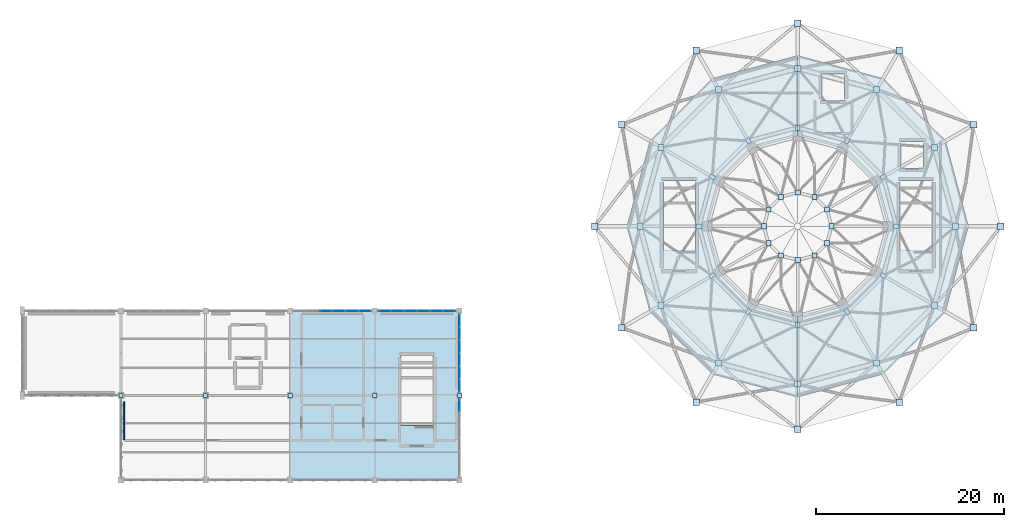
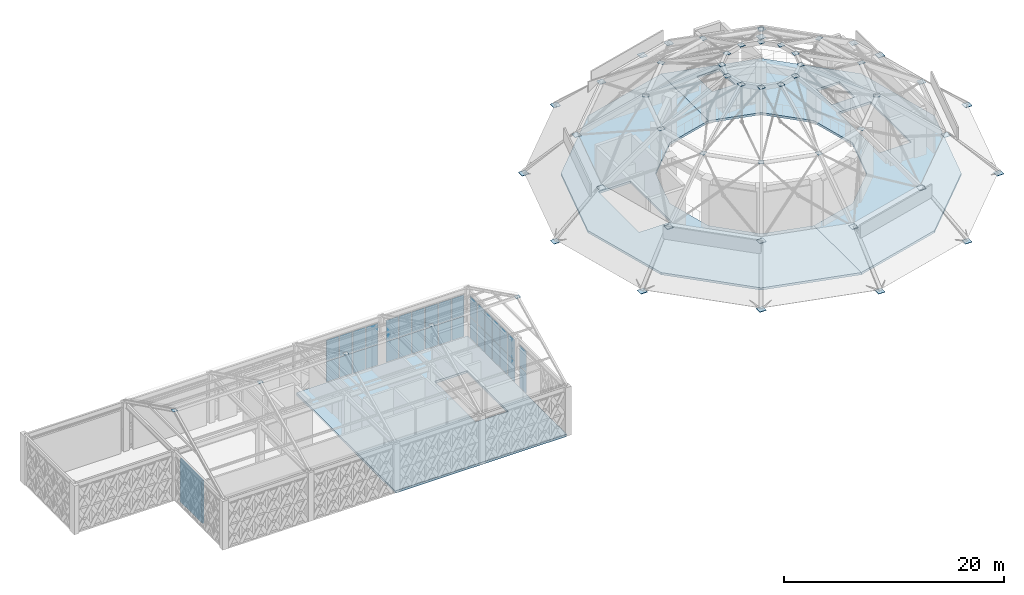
# One storey, part 26 of 32: 87 plates, 3 slabs, 1 wall, 4 elements without a shape of their own.
"""IFC4 building model written with IfcOpenShell, lengths in metres."""

from ifc_helpers import new_model, si_unit, direction, frame, frame_2d, origin, origin_2d, place, context, subcontext, project, spatial, polyline, rectangle, outline, extrude, material, layer, layer_set, type_object, element, aggregate, save


model = new_model("IFC4")

# Units and contexts
model_context = context("Model", 3, precision=1e-05, world=origin(), true_north=direction((0.0, 1.0)))
body_context = subcontext(model_context, "Body", "Model", "MODEL_VIEW")
ifc_project = project(units=[si_unit("LENGTHUNIT", "METRE"), si_unit("AREAUNIT", "SQUARE_METRE"), si_unit("VOLUMEUNIT", "CUBIC_METRE"), si_unit("PLANEANGLEUNIT", "RADIAN"), si_unit("MASSUNIT", "GRAM", prefix="KILO")], contexts=[model_context])

# Site, building, storey
site_placement = place(None, origin())
site = spatial("IfcSite", under=ifc_project, at=site_placement, CompositionType="ELEMENT")
building_placement = place(site_placement, origin())
building = spatial("IfcBuilding", under=site, at=building_placement, Name="Haizhuo Lancet Aquarium", CompositionType="ELEMENT")
storey_placement = place(building_placement, frame((0.0, 0.0, 27.0)))
storey = spatial("IfcBuildingStorey", under=building, at=storey_placement, Name="L05", CompositionType="ELEMENT", Elevation=27.0)

# Curtain wall, plates
ifc_material_1 = material(Name="Aluminium 6063-T6", Category="aluminium")
curtain_wall_type_1 = type_object("IfcCurtainWallType", Name="CWD-8310x4800", PredefinedType="NOTDEFINED", material=ifc_material_1)
curtain_wall_1_placement = place(storey_placement, origin())
curtain_wall_1 = element("IfcCurtainWall", 1, at=curtain_wall_1_placement, inside=storey, type_object=curtain_wall_type_1, Name="L05 curtain wall CW-V6-L05-265", PredefinedType="NOTDEFINED")
ifc_material_2 = material(Name="Laminated Low-E Glass", Category="glass")
ifc_layer_1 = layer(ifc_material_2, 0.028076171875)
ifc_layer_set_1 = layer_set([ifc_layer_1], Name="Laminated Low-E Glass")
plate_type_1 = type_object("IfcPlateType", Name="CW-PNL-1", PredefinedType="CURTAIN_PANEL", material=ifc_layer_set_1)
plate_1_placement = place(storey_placement, frame((-36.0, -10.053955078125, 0.064453125), z_axis=(0.0, 0.0, 1.0), x_axis=(0.0, -1.0, 0.0)))
plate_1 = element("IfcPlate", 2, at=plate_1_placement, type_object=plate_type_1, Name="CWD-83x48 panel 1.1", PredefinedType="CURTAIN_PANEL", context=body_context, shape_type="SweptSolid", body=[
    extrude(rectangle(XDim=1.2880859375, YDim=0.028076171875, at=origin_2d()), origin(), (0.0, 0.0, 1.0), 2.302978515625),
])
plate_2_placement = place(storey_placement, frame((-36.0, -10.053955078125, 2.4326171875), z_axis=(0.0, 0.0, 1.0), x_axis=(0.0, -1.0, 0.0)))
plate_2 = element("IfcPlate", 3, at=plate_2_placement, type_object=plate_type_1, Name="CWD-83x48 panel 1.2", PredefinedType="CURTAIN_PANEL", context=body_context, shape_type="SweptSolid", body=[
    extrude(rectangle(XDim=1.2880859375, YDim=0.028076171875, at=origin_2d()), origin(), (0.0, 0.0, 1.0), 2.302978515625),
])
plate_3_placement = place(storey_placement, frame((-36.0, -11.422119140625, 0.064453125), z_axis=(0.0, 0.0, 1.0), x_axis=(0.0, -1.0, 0.0)))
plate_3 = element("IfcPlate", 4, at=plate_3_placement, type_object=plate_type_1, Name="CWD-83x48 panel 2.1", PredefinedType="CURTAIN_PANEL", context=body_context, shape_type="SweptSolid", body=[
    extrude(rectangle(XDim=1.320068359375, YDim=0.028076171875, at=origin_2d()), origin(), (0.0, 0.0, 1.0), 2.302978515625),
])
plate_4_placement = place(storey_placement, frame((-36.0, -11.422119140625, 2.4326171875), z_axis=(0.0, 0.0, 1.0), x_axis=(0.0, -1.0, 0.0)))
plate_4 = element("IfcPlate", 5, at=plate_4_placement, type_object=plate_type_1, Name="CWD-83x48 panel 2.2", PredefinedType="CURTAIN_PANEL", context=body_context, shape_type="SweptSolid", body=[
    extrude(rectangle(XDim=1.320068359375, YDim=0.028076171875, at=origin_2d()), origin(), (0.0, 0.0, 1.0), 2.302978515625),
])
plate_5_placement = place(storey_placement, frame((-36.0, -12.80810546875, 0.064453125), z_axis=(0.0, 0.0, 1.0), x_axis=(0.0, -1.0, 0.0)))
plate_5 = element("IfcPlate", 6, at=plate_5_placement, type_object=plate_type_1, Name="CWD-83x48 panel 3.1", PredefinedType="CURTAIN_PANEL", context=body_context, shape_type="SweptSolid", body=[
    extrude(rectangle(XDim=1.320068359375, YDim=0.028076171875, at=origin_2d()), origin(), (0.0, 0.0, 1.0), 2.302978515625),
])
plate_6_placement = place(storey_placement, frame((-36.0, -12.80810546875, 2.4326171875), z_axis=(0.0, 0.0, 1.0), x_axis=(0.0, -1.0, 0.0)))
plate_6 = element("IfcPlate", 7, at=plate_6_placement, type_object=plate_type_1, Name="CWD-83x48 panel 3.2", PredefinedType="CURTAIN_PANEL", context=body_context, shape_type="SweptSolid", body=[
    extrude(rectangle(XDim=1.320068359375, YDim=0.028076171875, at=origin_2d()), origin(), (0.0, 0.0, 1.0), 2.302978515625),
])
plate_7_placement = place(storey_placement, frame((-36.0, -14.193115234375, 0.064453125), z_axis=(0.0, 0.0, 1.0), x_axis=(0.0, -1.0, 0.0)))
plate_7 = element("IfcPlate", 8, at=plate_7_placement, type_object=plate_type_1, Name="CWD-83x48 panel 4.1", PredefinedType="CURTAIN_PANEL", context=body_context, shape_type="SweptSolid", body=[
    extrude(rectangle(XDim=1.320068359375, YDim=0.028076171875, at=origin_2d()), origin(), (0.0, 0.0, 1.0), 2.302978515625),
])
plate_8_placement = place(storey_placement, frame((-36.0, -14.193115234375, 2.4326171875), z_axis=(0.0, 0.0, 1.0), x_axis=(0.0, -1.0, 0.0)))
plate_8 = element("IfcPlate", 9, at=plate_8_placement, type_object=plate_type_1, Name="CWD-83x48 panel 4.2", PredefinedType="CURTAIN_PANEL", context=body_context, shape_type="SweptSolid", body=[
    extrude(rectangle(XDim=1.320068359375, YDim=0.028076171875, at=origin_2d()), origin(), (0.0, 0.0, 1.0), 2.302978515625),
])
plate_9_placement = place(storey_placement, frame((-36.0, -15.577880859375, 0.064453125), z_axis=(0.0, 0.0, 1.0), x_axis=(0.0, -1.0, 0.0)))
plate_9 = element("IfcPlate", 10, at=plate_9_placement, type_object=plate_type_1, Name="CWD-83x48 panel 5.1", PredefinedType="CURTAIN_PANEL", context=body_context, shape_type="SweptSolid", body=[
    extrude(rectangle(XDim=1.320068359375, YDim=0.028076171875, at=origin_2d()), origin(), (0.0, 0.0, 1.0), 2.302978515625),
])
plate_10_placement = place(storey_placement, frame((-36.0, -15.577880859375, 2.4326171875), z_axis=(0.0, 0.0, 1.0), x_axis=(0.0, -1.0, 0.0)))
plate_10 = element("IfcPlate", 11, at=plate_10_placement, type_object=plate_type_1, Name="CWD-83x48 panel 5.2", PredefinedType="CURTAIN_PANEL", context=body_context, shape_type="SweptSolid", body=[
    extrude(rectangle(XDim=1.320068359375, YDim=0.028076171875, at=origin_2d()), origin(), (0.0, 0.0, 1.0), 2.302978515625),
])
plate_11_placement = place(storey_placement, frame((-36.0, -16.946044921875, 0.064453125), z_axis=(0.0, 0.0, 1.0), x_axis=(0.0, -1.0, 0.0)))
plate_11 = element("IfcPlate", 12, at=plate_11_placement, type_object=plate_type_1, Name="CWD-83x48 panel 6.1", PredefinedType="CURTAIN_PANEL", context=body_context, shape_type="SweptSolid", body=[
    extrude(rectangle(XDim=1.287109375, YDim=0.028076171875, at=origin_2d()), origin(), (0.0, 0.0, 1.0), 2.302978515625),
])
plate_12_placement = place(storey_placement, frame((-36.0, -16.946044921875, 2.4326171875), z_axis=(0.0, 0.0, 1.0), x_axis=(0.0, -1.0, 0.0)))
plate_12 = element("IfcPlate", 13, at=plate_12_placement, type_object=plate_type_1, Name="CWD-83x48 panel 6.2", PredefinedType="CURTAIN_PANEL", context=body_context, shape_type="SweptSolid", body=[
    extrude(rectangle(XDim=1.287109375, YDim=0.028076171875, at=origin_2d()), origin(), (0.0, 0.0, 1.0), 2.302978515625),
])
aggregate(curtain_wall_1, [plate_1, plate_2, plate_3, plate_4, plate_5, plate_6, plate_7, plate_8, plate_9, plate_10, plate_11, plate_12])

curtain_wall_2_placement = place(storey_placement, origin())
curtain_wall_2 = element("IfcCurtainWall", 14, at=curtain_wall_2_placement, inside=storey, type_object=curtain_wall_type_1, Name="L05 curtain wall CW-V6-L05-266", PredefinedType="NOTDEFINED")
ifc_layer_2 = layer(ifc_material_2, 0.033935546875)
ifc_layer_set_2 = layer_set([ifc_layer_2], Name="Laminated Low-E Glass")
plate_type_2 = type_object("IfcPlateType", Name="CW-PNL-2", PredefinedType="CURTAIN_PANEL", material=ifc_layer_set_2)
plate_13_placement = place(storey_placement, frame((-36.0, -19.055908203125, 0.075439453125), z_axis=(0.0, 0.0, 1.0), x_axis=(0.0, -1.0, 0.0)))
plate_13 = element("IfcPlate", 15, at=plate_13_placement, type_object=plate_type_2, Name="CWD-83x48 panel 1.1", PredefinedType="CURTAIN_PANEL", context=body_context, shape_type="SweptSolid", body=[
    extrude(rectangle(XDim=1.27294921875, YDim=0.033935546875, at=origin_2d()), origin(), (0.0, 0.0, 1.0), 2.287109375),
])
plate_14_placement = place(storey_placement, frame((-36.0, -19.055908203125, 2.4375), z_axis=(0.0, 0.0, 1.0), x_axis=(0.0, -1.0, 0.0)))
plate_14 = element("IfcPlate", 16, at=plate_14_placement, type_object=plate_type_2, Name="CWD-83x48 panel 1.2", PredefinedType="CURTAIN_PANEL", context=body_context, shape_type="SweptSolid", body=[
    extrude(rectangle(XDim=1.27294921875, YDim=0.033935546875, at=origin_2d()), origin(), (0.0, 0.0, 1.0), 2.287109375),
])
aggregate(curtain_wall_2, [plate_13, plate_14])

curtain_wall_type_2 = type_object("IfcCurtainWallType", Name="CWO-8310x4800", PredefinedType="NOTDEFINED", material=ifc_material_1)
curtain_wall_3_placement = place(storey_placement, origin())
curtain_wall_3 = element("IfcCurtainWall", 17, at=curtain_wall_3_placement, inside=storey, type_object=curtain_wall_type_2, Name="L05 curtain wall CW-V6-L05-263", PredefinedType="NOTDEFINED")
ifc_layer_3 = layer(ifc_material_2, 0.0419921875)
ifc_layer_set_3 = layer_set([ifc_layer_3], Name="Laminated Low-E Glass")
plate_type_3 = type_object("IfcPlateType", Name="CW-PNL-3", PredefinedType="CURTAIN_PANEL", material=ifc_layer_set_3)
plate_15_placement = place(storey_placement, frame((-50.193115234375, -9.0, 0.075439453125), z_axis=(0.0, 0.0, 1.0), x_axis=(1.0, 0.0, 0.0)))
plate_15 = element("IfcPlate", 18, at=plate_15_placement, type_object=plate_type_3, Name="CWO-83x48 panel 3.1", PredefinedType="CURTAIN_PANEL", context=body_context, shape_type="SweptSolid", body=[
    extrude(rectangle(XDim=1.31005859375, YDim=0.0419921875, at=origin_2d()), origin(), (0.0, 0.0, 1.0), 2.287109375),
])
plate_16_placement = place(storey_placement, frame((-50.193115234375, -9.0, 2.4375), z_axis=(0.0, 0.0, 1.0), x_axis=(1.0, 0.0, 0.0)))
plate_16 = element("IfcPlate", 19, at=plate_16_placement, type_object=plate_type_3, Name="CWO-83x48 panel 3.2", PredefinedType="CURTAIN_PANEL", context=body_context, shape_type="SweptSolid", body=[
    extrude(rectangle(XDim=1.31005859375, YDim=0.0419921875, at=origin_2d()), origin(), (0.0, 0.0, 1.0), 2.287109375),
])
plate_17_placement = place(storey_placement, frame((-48.806884765625, -9.0, 0.075439453125), z_axis=(0.0, 0.0, 1.0), x_axis=(1.0, 0.0, 0.0)))
plate_17 = element("IfcPlate", 20, at=plate_17_placement, type_object=plate_type_3, Name="CWO-83x48 panel 4.1", PredefinedType="CURTAIN_PANEL", context=body_context, shape_type="SweptSolid", body=[
    extrude(rectangle(XDim=1.31005859375, YDim=0.0419921875, at=origin_2d()), origin(), (0.0, 0.0, 1.0), 2.287109375),
])
plate_18_placement = place(storey_placement, frame((-48.806884765625, -9.0, 2.4375), z_axis=(0.0, 0.0, 1.0), x_axis=(1.0, 0.0, 0.0)))
plate_18 = element("IfcPlate", 21, at=plate_18_placement, type_object=plate_type_3, Name="CWO-83x48 panel 4.2", PredefinedType="CURTAIN_PANEL", context=body_context, shape_type="SweptSolid", body=[
    extrude(rectangle(XDim=1.31005859375, YDim=0.0419921875, at=origin_2d()), origin(), (0.0, 0.0, 1.0), 2.287109375),
])
plate_19_placement = place(storey_placement, frame((-47.422119140625, -9.0, 0.075439453125), z_axis=(0.0, 0.0, 1.0), x_axis=(1.0, 0.0, 0.0)))
plate_19 = element("IfcPlate", 22, at=plate_19_placement, type_object=plate_type_3, Name="CWO-83x48 panel 5.1", PredefinedType="CURTAIN_PANEL", context=body_context, shape_type="SweptSolid", body=[
    extrude(rectangle(XDim=1.31005859375, YDim=0.0419921875, at=origin_2d()), origin(), (0.0, 0.0, 1.0), 2.287109375),
])
plate_20_placement = place(storey_placement, frame((-47.422119140625, -9.0, 2.4375), z_axis=(0.0, 0.0, 1.0), x_axis=(1.0, 0.0, 0.0)))
plate_20 = element("IfcPlate", 23, at=plate_20_placement, type_object=plate_type_3, Name="CWO-83x48 panel 5.2", PredefinedType="CURTAIN_PANEL", context=body_context, shape_type="SweptSolid", body=[
    extrude(rectangle(XDim=1.31005859375, YDim=0.0419921875, at=origin_2d()), origin(), (0.0, 0.0, 1.0), 2.287109375),
])
plate_21_placement = place(storey_placement, frame((-46.055908203125, -9.0, 0.075439453125), z_axis=(0.0, 0.0, 1.0), x_axis=(1.0, 0.0, 0.0)))
plate_21 = element("IfcPlate", 24, at=plate_21_placement, type_object=plate_type_3, Name="CWO-83x48 panel 6.1", PredefinedType="CURTAIN_PANEL", context=body_context, shape_type="SweptSolid", body=[
    extrude(rectangle(XDim=1.27294921875, YDim=0.0419921875, at=origin_2d()), origin(), (0.0, 0.0, 1.0), 2.287109375),
])
plate_22_placement = place(storey_placement, frame((-46.055908203125, -9.0, 2.4375), z_axis=(0.0, 0.0, 1.0), x_axis=(1.0, 0.0, 0.0)))
plate_22 = element("IfcPlate", 25, at=plate_22_placement, type_object=plate_type_3, Name="CWO-83x48 panel 6.2", PredefinedType="CURTAIN_PANEL", context=body_context, shape_type="SweptSolid", body=[
    extrude(rectangle(XDim=1.27294921875, YDim=0.0419921875, at=origin_2d()), origin(), (0.0, 0.0, 1.0), 2.287109375),
])
aggregate(curtain_wall_3, [plate_15, plate_16, plate_17, plate_18, plate_19, plate_20, plate_21, plate_22])

curtain_wall_4_placement = place(storey_placement, origin())
curtain_wall_4 = element("IfcCurtainWall", 26, at=curtain_wall_4_placement, inside=storey, type_object=curtain_wall_type_2, Name="L05 curtain wall CW-V6-L05-264", PredefinedType="NOTDEFINED")
ifc_layer_4 = layer(ifc_material_2, 0.052001953125)
ifc_layer_set_4 = layer_set([ifc_layer_4], Name="Laminated Low-E Glass")
plate_type_4 = type_object("IfcPlateType", Name="CW-PNL-4", PredefinedType="CURTAIN_PANEL", material=ifc_layer_set_4)
plate_23_placement = place(storey_placement, frame((-43.943115234375, -9.0, 0.080078125), z_axis=(0.0, 0.0, 1.0), x_axis=(1.0, 0.0, 0.0)))
plate_23 = element("IfcPlate", 27, at=plate_23_placement, type_object=plate_type_4, Name="CWO-83x48 panel 1.1", PredefinedType="CURTAIN_PANEL", context=body_context, shape_type="SweptSolid", body=[
    extrude(rectangle(XDim=1.264892578125, YDim=0.052001953125, at=origin_2d()), origin(), (0.0, 0.0, 1.0), 2.280029296875),
])
plate_24_placement = place(storey_placement, frame((-43.943115234375, -9.0, 2.43994140625), z_axis=(0.0, 0.0, 1.0), x_axis=(1.0, 0.0, 0.0)))
plate_24 = element("IfcPlate", 28, at=plate_24_placement, type_object=plate_type_4, Name="CWO-83x48 panel 1.2", PredefinedType="CURTAIN_PANEL", context=body_context, shape_type="SweptSolid", body=[
    extrude(rectangle(XDim=1.264892578125, YDim=0.052001953125, at=origin_2d()), origin(), (0.0, 0.0, 1.0), 2.280029296875),
])
plate_25_placement = place(storey_placement, frame((-42.577880859375, -9.0, 0.080078125), z_axis=(0.0, 0.0, 1.0), x_axis=(1.0, 0.0, 0.0)))
plate_25 = element("IfcPlate", 29, at=plate_25_placement, type_object=plate_type_4, Name="CWO-83x48 panel 2.1", PredefinedType="CURTAIN_PANEL", context=body_context, shape_type="SweptSolid", body=[
    extrude(rectangle(XDim=1.304931640625, YDim=0.052001953125, at=origin_2d()), origin(), (0.0, 0.0, 1.0), 2.280029296875),
])
plate_26_placement = place(storey_placement, frame((-42.577880859375, -9.0, 2.43994140625), z_axis=(0.0, 0.0, 1.0), x_axis=(1.0, 0.0, 0.0)))
plate_26 = element("IfcPlate", 30, at=plate_26_placement, type_object=plate_type_4, Name="CWO-83x48 panel 2.2", PredefinedType="CURTAIN_PANEL", context=body_context, shape_type="SweptSolid", body=[
    extrude(rectangle(XDim=1.304931640625, YDim=0.052001953125, at=origin_2d()), origin(), (0.0, 0.0, 1.0), 2.280029296875),
])
plate_27_placement = place(storey_placement, frame((-41.193115234375, -9.0, 0.080078125), z_axis=(0.0, 0.0, 1.0), x_axis=(1.0, 0.0, 0.0)))
plate_27 = element("IfcPlate", 31, at=plate_27_placement, type_object=plate_type_4, Name="CWO-83x48 panel 3.1", PredefinedType="CURTAIN_PANEL", context=body_context, shape_type="SweptSolid", body=[
    extrude(rectangle(XDim=1.304931640625, YDim=0.052001953125, at=origin_2d()), origin(), (0.0, 0.0, 1.0), 2.280029296875),
])
plate_28_placement = place(storey_placement, frame((-41.193115234375, -9.0, 2.43994140625), z_axis=(0.0, 0.0, 1.0), x_axis=(1.0, 0.0, 0.0)))
plate_28 = element("IfcPlate", 32, at=plate_28_placement, type_object=plate_type_4, Name="CWO-83x48 panel 3.2", PredefinedType="CURTAIN_PANEL", context=body_context, shape_type="SweptSolid", body=[
    extrude(rectangle(XDim=1.304931640625, YDim=0.052001953125, at=origin_2d()), origin(), (0.0, 0.0, 1.0), 2.280029296875),
])
plate_29_placement = place(storey_placement, frame((-39.806884765625, -9.0, 0.080078125), z_axis=(0.0, 0.0, 1.0), x_axis=(1.0, 0.0, 0.0)))
plate_29 = element("IfcPlate", 33, at=plate_29_placement, type_object=plate_type_4, Name="CWO-83x48 panel 4.1", PredefinedType="CURTAIN_PANEL", context=body_context, shape_type="SweptSolid", body=[
    extrude(rectangle(XDim=1.304931640625, YDim=0.052001953125, at=origin_2d()), origin(), (0.0, 0.0, 1.0), 2.280029296875),
])
plate_30_placement = place(storey_placement, frame((-39.806884765625, -9.0, 2.43994140625), z_axis=(0.0, 0.0, 1.0), x_axis=(1.0, 0.0, 0.0)))
plate_30 = element("IfcPlate", 34, at=plate_30_placement, type_object=plate_type_4, Name="CWO-83x48 panel 4.2", PredefinedType="CURTAIN_PANEL", context=body_context, shape_type="SweptSolid", body=[
    extrude(rectangle(XDim=1.304931640625, YDim=0.052001953125, at=origin_2d()), origin(), (0.0, 0.0, 1.0), 2.280029296875),
])
plate_31_placement = place(storey_placement, frame((-38.422119140625, -9.0, 0.080078125), z_axis=(0.0, 0.0, 1.0), x_axis=(1.0, 0.0, 0.0)))
plate_31 = element("IfcPlate", 35, at=plate_31_placement, type_object=plate_type_4, Name="CWO-83x48 panel 5.1", PredefinedType="CURTAIN_PANEL", context=body_context, shape_type="SweptSolid", body=[
    extrude(rectangle(XDim=1.304931640625, YDim=0.052001953125, at=origin_2d()), origin(), (0.0, 0.0, 1.0), 2.280029296875),
])
plate_32_placement = place(storey_placement, frame((-38.422119140625, -9.0, 2.43994140625), z_axis=(0.0, 0.0, 1.0), x_axis=(1.0, 0.0, 0.0)))
plate_32 = element("IfcPlate", 36, at=plate_32_placement, type_object=plate_type_4, Name="CWO-83x48 panel 5.2", PredefinedType="CURTAIN_PANEL", context=body_context, shape_type="SweptSolid", body=[
    extrude(rectangle(XDim=1.304931640625, YDim=0.052001953125, at=origin_2d()), origin(), (0.0, 0.0, 1.0), 2.280029296875),
])
plate_33_placement = place(storey_placement, frame((-37.056884765625, -9.0, 0.080078125), z_axis=(0.0, 0.0, 1.0), x_axis=(1.0, 0.0, 0.0)))
plate_33 = element("IfcPlate", 37, at=plate_33_placement, type_object=plate_type_4, Name="CWO-83x48 panel 6.1", PredefinedType="CURTAIN_PANEL", context=body_context, shape_type="SweptSolid", body=[
    extrude(rectangle(XDim=1.264892578125, YDim=0.052001953125, at=origin_2d()), origin(), (0.0, 0.0, 1.0), 2.280029296875),
])
plate_34_placement = place(storey_placement, frame((-37.056884765625, -9.0, 2.43994140625), z_axis=(0.0, 0.0, 1.0), x_axis=(1.0, 0.0, 0.0)))
plate_34 = element("IfcPlate", 38, at=plate_34_placement, type_object=plate_type_4, Name="CWO-83x48 panel 6.2", PredefinedType="CURTAIN_PANEL", context=body_context, shape_type="SweptSolid", body=[
    extrude(rectangle(XDim=1.264892578125, YDim=0.052001953125, at=origin_2d()), origin(), (0.0, 0.0, 1.0), 2.280029296875),
])
aggregate(curtain_wall_4, [plate_23, plate_24, plate_25, plate_26, plate_27, plate_28, plate_29, plate_30, plate_31, plate_32, plate_33, plate_34])

# Plates
ifc_material_3 = material(Name="Steel S355", Category="steel")
ifc_layer_5 = layer(ifc_material_3, 0.01611328125)
ifc_layer_set_5 = layer_set([ifc_layer_5], Name="Steel S355")
plate_type_5 = type_object("IfcPlateType", Name="PLT-COV-16", PredefinedType="USERDEFINED", material=ifc_layer_set_5)
for number, where, z_axis, x_axis, name in (
    (39, (-63.0, -18.0, 9.796875), (0.0, 0.0, 1.0), (1.0, 0.0, 0.0), "V6 apex gusset connection plate 2"),
    (40, (-45.0, -18.0, 9.796875), (0.0, 0.0, 1.0), (1.0, 0.0, 0.0), "V6 apex gusset connection plate 4"),
):
    element("IfcPlate", number, at=place(storey_placement, frame(where, z_axis=z_axis, x_axis=x_axis)), inside=storey, type_object=plate_type_5, Name=name, ObjectType="COVER_PLATE", PredefinedType="USERDEFINED", context=body_context, shape_type="SweptSolid", body=[
        extrude(rectangle(XDim=0.449951171875, YDim=0.449951171875, at=origin_2d()), origin(), (0.0, 0.0, 1.0), 0.01611328125),
    ])
ifc_layer_6 = layer(ifc_material_3, 0.031982421875)
ifc_layer_set_6 = layer_set([ifc_layer_6], Name="Steel S355")
plate_type_6 = type_object("IfcPlateType", Name="PLT-COV-32", PredefinedType="USERDEFINED", material=ifc_layer_set_6)
for number, where, z_axis, x_axis, name in (
    (41, (3.60009765625, 0.0, 12.0341796875), (0.0, 0.0, 1.0), (1.0, 0.0, 0.0), "Dome structural node plate DN-4 bay 1"),
    (42, (3.117919921875, 1.800048828125, 12.0341796875), (0.0, 0.0, 1.0), (1.0, 0.0, 0.0), "Dome structural node plate DN-4 bay 2"),
    (43, (1.800048828125, 3.117919921875, 12.0341796875), (0.0, 0.0, 1.0), (1.0, 0.0, 0.0), "Dome structural node plate DN-4 bay 3"),
    (44, (0.0, 3.60009765625, 12.0341796875), (0.0, 0.0, 1.0), (1.0, 0.0, 0.0), "Dome structural node plate DN-4 bay 4"),
    (45, (-1.800048828125, 3.117919921875, 12.0341796875), (0.0, 0.0, 1.0), (1.0, 0.0, 0.0), "Dome structural node plate DN-4 bay 5"),
    (46, (-3.117919921875, 1.800048828125, 12.0341796875), (0.0, 0.0, 1.0), (1.0, 0.0, 0.0), "Dome structural node plate DN-4 bay 6"),
    (47, (-3.60009765625, 0.0, 12.0341796875), (0.0, 0.0, 1.0), (1.0, 0.0, 0.0), "Dome structural node plate DN-4 bay 7"),
    (48, (-3.117919921875, -1.800048828125, 12.0341796875), (0.0, 0.0, 1.0), (1.0, 0.0, 0.0), "Dome structural node plate DN-4 bay 8"),
    (49, (-1.800048828125, -3.117919921875, 12.0341796875), (0.0, 0.0, 1.0), (1.0, 0.0, 0.0), "Dome structural node plate DN-4 bay 9"),
    (50, (0.0, -3.60009765625, 12.0341796875), (0.0, 0.0, 1.0), (1.0, 0.0, 0.0), "Dome structural node plate DN-4 bay 10"),
    (51, (1.800048828125, -3.117919921875, 12.0341796875), (0.0, 0.0, 1.0), (1.0, 0.0, 0.0), "Dome structural node plate DN-4 bay 11"),
    (52, (3.117919921875, -1.800048828125, 12.0341796875), (0.0, 0.0, 1.0), (1.0, 0.0, 0.0), "Dome structural node plate DN-4 bay 12"),
):
    element("IfcPlate", number, at=place(storey_placement, frame(where, z_axis=z_axis, x_axis=x_axis)), inside=storey, type_object=plate_type_6, Name=name, ObjectType="COVER_PLATE", PredefinedType="USERDEFINED", context=body_context, shape_type="SweptSolid", body=[
        extrude(rectangle(XDim=0.550048828125, YDim=0.550048828125, at=origin_2d()), origin(), (0.0, 0.0, 1.0), 0.031982421875),
    ])
ifc_layer_7 = layer(ifc_material_3, 0.035888671875)
ifc_layer_set_7 = layer_set([ifc_layer_7], Name="Steel S355")
plate_type_7 = type_object("IfcPlateType", Name="PLT-FLG-36", PredefinedType="USERDEFINED", material=ifc_layer_set_7)
for number, where, z_axis, x_axis, name in (
    (53, (16.800048828125, 0.0, 4.23193359375), (0.0, 0.0, 1.0), (1.0, 0.0, 0.0), "Dome structural node plate DN-2 bay 1"),
    (54, (14.549072265625, 8.39990234375, 4.23193359375), (0.0, 0.0, 1.0), (1.0, 0.0, 0.0), "Dome structural node plate DN-2 bay 2"),
    (55, (8.39990234375, 14.549072265625, 4.23193359375), (0.0, 0.0, 1.0), (1.0, 0.0, 0.0), "Dome structural node plate DN-2 bay 3"),
    (56, (0.0, 16.800048828125, 4.23193359375), (0.0, 0.0, 1.0), (1.0, 0.0, 0.0), "Dome structural node plate DN-2 bay 4"),
    (57, (-8.39990234375, 14.549072265625, 4.23193359375), (0.0, 0.0, 1.0), (1.0, 0.0, 0.0), "Dome structural node plate DN-2 bay 5"),
    (58, (-14.549072265625, 8.39990234375, 4.23193359375), (0.0, 0.0, 1.0), (1.0, 0.0, 0.0), "Dome structural node plate DN-2 bay 6"),
    (59, (-16.800048828125, 0.0, 4.23193359375), (0.0, 0.0, 1.0), (1.0, 0.0, 0.0), "Dome structural node plate DN-2 bay 7"),
    (60, (-14.549072265625, -8.39990234375, 4.23193359375), (0.0, 0.0, 1.0), (1.0, 0.0, 0.0), "Dome structural node plate DN-2 bay 8"),
    (61, (-8.39990234375, -14.549072265625, 4.23193359375), (0.0, 0.0, 1.0), (1.0, 0.0, 0.0), "Dome structural node plate DN-2 bay 9"),
    (62, (0.0, -16.800048828125, 4.23193359375), (0.0, 0.0, 1.0), (1.0, 0.0, 0.0), "Dome structural node plate DN-2 bay 10"),
    (63, (8.39990234375, -14.549072265625, 4.23193359375), (0.0, 0.0, 1.0), (1.0, 0.0, 0.0), "Dome structural node plate DN-2 bay 11"),
    (64, (14.549072265625, -8.39990234375, 4.23193359375), (0.0, 0.0, 1.0), (1.0, 0.0, 0.0), "Dome structural node plate DN-2 bay 12"),
):
    element("IfcPlate", number, at=place(storey_placement, frame(where, z_axis=z_axis, x_axis=x_axis)), inside=storey, type_object=plate_type_7, Name=name, ObjectType="FLANGE_PLATE", PredefinedType="USERDEFINED", context=body_context, shape_type="SweptSolid", body=[
        extrude(rectangle(XDim=0.64990234375, YDim=0.64990234375, at=origin_2d()), origin(), (0.0, 0.0, 1.0), 0.035888671875),
    ])
ifc_layer_8 = layer(ifc_material_3, 0.0400390625)
ifc_layer_set_8 = layer_set([ifc_layer_8], Name="Steel S355")
plate_type_8 = type_object("IfcPlateType", Name="PLT-FLG-40", PredefinedType="USERDEFINED", material=ifc_layer_set_8)
for number, where, z_axis, x_axis, name in (
    (65, (21.60009765625, 0.0, -0.02001953125), (0.0, 0.0, 1.0), (1.0, 0.0, 0.0), "Dome structural node plate DN-1 bay 1"),
    (66, (18.7060546875, 10.800048828125, -0.02001953125), (0.0, 0.0, 1.0), (1.0, 0.0, 0.0), "Dome structural node plate DN-1 bay 2"),
    (67, (10.800048828125, 18.7060546875, -0.02001953125), (0.0, 0.0, 1.0), (1.0, 0.0, 0.0), "Dome structural node plate DN-1 bay 3"),
    (68, (0.0, 21.60009765625, -0.02001953125), (0.0, 0.0, 1.0), (1.0, 0.0, 0.0), "Dome structural node plate DN-1 bay 4"),
    (69, (-10.800048828125, 18.7060546875, -0.02001953125), (0.0, 0.0, 1.0), (1.0, 0.0, 0.0), "Dome structural node plate DN-1 bay 5"),
    (70, (-18.7060546875, 10.800048828125, -0.02001953125), (0.0, 0.0, 1.0), (1.0, 0.0, 0.0), "Dome structural node plate DN-1 bay 6"),
    (71, (-21.60009765625, 0.0, -0.02001953125), (0.0, 0.0, 1.0), (1.0, 0.0, 0.0), "Dome structural node plate DN-1 bay 7"),
    (72, (-18.7060546875, -10.800048828125, -0.02001953125), (0.0, 0.0, 1.0), (1.0, 0.0, 0.0), "Dome structural node plate DN-1 bay 8"),
    (73, (-10.800048828125, -18.7060546875, -0.02001953125), (0.0, 0.0, 1.0), (1.0, 0.0, 0.0), "Dome structural node plate DN-1 bay 9"),
    (74, (0.0, -21.60009765625, -0.02001953125), (0.0, 0.0, 1.0), (1.0, 0.0, 0.0), "Dome structural node plate DN-1 bay 10"),
    (75, (10.800048828125, -18.7060546875, -0.02001953125), (0.0, 0.0, 1.0), (1.0, 0.0, 0.0), "Dome structural node plate DN-1 bay 11"),
    (76, (18.7060546875, -10.800048828125, -0.02001953125), (0.0, 0.0, 1.0), (1.0, 0.0, 0.0), "Dome structural node plate DN-1 bay 12"),
):
    element("IfcPlate", number, at=place(storey_placement, frame(where, z_axis=z_axis, x_axis=x_axis)), inside=storey, type_object=plate_type_8, Name=name, ObjectType="FLANGE_PLATE", PredefinedType="USERDEFINED", context=body_context, shape_type="SweptSolid", body=[
        extrude(rectangle(XDim=0.699951171875, YDim=0.699951171875, at=origin_2d()), origin(), (0.0, 0.0, 1.0), 0.0400390625),
    ])
ifc_layer_9 = layer(ifc_material_3, 0.02001953125)
ifc_layer_set_9 = layer_set([ifc_layer_9], Name="Steel S355")
plate_type_9 = type_object("IfcPlateType", Name="PLT-STF-20", PredefinedType="USERDEFINED", material=ifc_layer_set_9)
for number, where, z_axis, x_axis, name in (
    (77, (-72.0, -18.0, 9.794921875), (0.0, 0.0, 1.0), (1.0, 0.0, 0.0), "V6 apex gusset connection plate 1"),
    (78, (-54.0, -18.0, 9.794921875), (0.0, 0.0, 1.0), (1.0, 0.0, 0.0), "V6 apex gusset connection plate 3"),
    (79, (-36.0, -18.0, 9.794921875), (0.0, 0.0, 1.0), (1.0, 0.0, 0.0), "V6 apex gusset connection plate 5"),
):
    element("IfcPlate", number, at=place(storey_placement, frame(where, z_axis=z_axis, x_axis=x_axis)), inside=storey, type_object=plate_type_9, Name=name, ObjectType="STIFFENER_PLATE", PredefinedType="USERDEFINED", context=body_context, shape_type="SweptSolid", body=[
        extrude(rectangle(XDim=0.449951171875, YDim=0.449951171875, at=origin_2d()), origin(), (0.0, 0.0, 1.0), 0.02001953125),
    ])
ifc_layer_10 = layer(ifc_material_3, 0.02392578125)
ifc_layer_set_10 = layer_set([ifc_layer_10], Name="Steel S355")
plate_type_10 = type_object("IfcPlateType", Name="PLT-STF-24", PredefinedType="USERDEFINED", material=ifc_layer_set_10)
for number, where, z_axis, x_axis, name in (
    (80, (10.5, 0.0, 8.588134765625), (0.0, 0.0, 1.0), (1.0, 0.0, 0.0), "Dome structural node plate DN-3 bay 1"),
    (81, (9.093017578125, 5.25, 8.588134765625), (0.0, 0.0, 1.0), (0.866025403784, 0.5, 0.0), "Dome structural node plate DN-3 bay 2"),
    (82, (5.25, 9.093017578125, 8.588134765625), (0.0, 0.0, 1.0), (0.5, 0.866025403784, 0.0), "Dome structural node plate DN-3 bay 3"),
    (83, (0.0, 10.5, 8.588134765625), (0.0, 0.0, 1.0), (0.0, 1.0, 0.0), "Dome structural node plate DN-3 bay 4"),
    (84, (-5.25, 9.093017578125, 8.588134765625), (0.0, 0.0, 1.0), (-0.5, 0.866025403784, 0.0), "Dome structural node plate DN-3 bay 5"),
    (85, (-9.093017578125, 5.25, 8.588134765625), (0.0, 0.0, 1.0), (-0.866025403784, 0.5, 0.0), "Dome structural node plate DN-3 bay 6"),
    (86, (-10.5, 0.0, 8.588134765625), (0.0, 0.0, 1.0), (-1.0, 0.0, 0.0), "Dome structural node plate DN-3 bay 7"),
    (87, (-9.093017578125, -5.25, 8.588134765625), (0.0, 0.0, 1.0), (-0.866025403784, -0.5, 0.0), "Dome structural node plate DN-3 bay 8"),
    (88, (-5.25, -9.093017578125, 8.588134765625), (0.0, 0.0, 1.0), (-0.5, -0.866025403784, 0.0), "Dome structural node plate DN-3 bay 9"),
    (89, (0.0, -10.5, 8.588134765625), (0.0, 0.0, 1.0), (0.0, -1.0, 0.0), "Dome structural node plate DN-3 bay 10"),
    (90, (5.25, -9.093017578125, 8.588134765625), (0.0, 0.0, 1.0), (0.5, -0.866025403784, 0.0), "Dome structural node plate DN-3 bay 11"),
    (91, (9.093017578125, -5.25, 8.588134765625), (0.0, 0.0, 1.0), (0.866025403784, -0.5, 0.0), "Dome structural node plate DN-3 bay 12"),
):
    element("IfcPlate", number, at=place(storey_placement, frame(where, z_axis=z_axis, x_axis=x_axis)), inside=storey, type_object=plate_type_10, Name=name, ObjectType="STIFFENER_PLATE", PredefinedType="USERDEFINED", context=body_context, shape_type="SweptSolid", body=[
        extrude(rectangle(XDim=0.60009765625, YDim=0.449951171875, at=origin_2d()), origin(), (0.0, 0.0, 1.0), 0.02392578125),
    ])

# Slabs
ifc_material_4 = material(Name="Concrete C40/50", Category="concrete")
ifc_layer_11 = layer(ifc_material_4, 0.25)
ifc_layer_set_11 = layer_set([ifc_layer_11], Name="Concrete C40/50")
slab_type = type_object("IfcSlabType", Name="SLB-TYP-250", PredefinedType="FLOOR", material=ifc_layer_set_11)
slab_1_placement = place(storey_placement, frame((0.0, 0.0, -0.25)))
element("IfcSlab", 92, at=slab_1_placement, inside=storey, type_object=slab_type, Name="L05 structural slab SL-L05-V1-01", PredefinedType="FLOOR", context=body_context, shape_type="SweptSolid", body=[
    extrude(outline(polyline([(-15.761962890625, 9.10009765625), (-18.199951171875, 0.0), (-15.761962890625, -9.10009765625), (-9.10009765625, -15.761962890625), (0.0, -18.199951171875), (0.0, -9.60009765625), (-4.800048828125, -8.31396484375), (-8.31396484375, -4.800048828125), (-9.60009765625, 0.0), (-8.31396484375, 4.800048828125), (-4.800048828125, 8.31396484375), (0.0, 9.60009765625), (0.0, 18.199951171875), (-9.10009765625, 15.761962890625), (-15.761962890625, 9.10009765625)]), holes=[polyline([(-14.300048828125, -2.570068359375), (-10.89990234375, -2.570068359375), (-10.89990234375, 4.85009765625), (-14.300048828125, 4.85009765625), (-14.300048828125, -2.570068359375)])]), origin(), (0.0, 0.0, 1.0), 0.25),
])
slab_2_placement = place(storey_placement, frame((0.0, 0.0, -0.25)))
element("IfcSlab", 93, at=slab_2_placement, inside=storey, type_object=slab_type, Name="L05 structural slab SL-L05-V1-02", PredefinedType="FLOOR", context=body_context, shape_type="SweptSolid", body=[
    extrude(outline(polyline([(0.0, 18.199951171875), (0.0, 9.60009765625), (4.800048828125, 8.31396484375), (8.31396484375, 4.800048828125), (9.60009765625, 0.0), (8.31396484375, -4.800048828125), (4.800048828125, -8.31396484375), (0.0, -9.60009765625), (0.0, -18.199951171875), (9.10009765625, -15.761962890625), (15.761962890625, -9.10009765625), (18.199951171875, 0.0), (15.761962890625, 9.10009765625), (9.10009765625, 15.761962890625), (0.0, 18.199951171875)]), holes=[polyline([(10.89990234375, 4.85009765625), (10.89990234375, -2.570068359375), (14.300048828125, -2.570068359375), (14.300048828125, 4.85009765625), (10.89990234375, 4.85009765625)]), polyline([(5.0, 13.39990234375), (5.0, 16.199951171875), (2.60009765625, 16.199951171875), (2.60009765625, 13.39990234375), (5.0, 13.39990234375)]), polyline([(11.0, 9.0), (11.0, 6.199951171875), (13.39990234375, 6.199951171875), (13.39990234375, 9.0), (11.0, 9.0)])]), origin(), (0.0, 0.0, 1.0), 0.25),
])
slab_3_placement = place(storey_placement, frame((0.0, 0.0, -0.25)))
element("IfcSlab", 94, at=slab_3_placement, inside=storey, type_object=slab_type, Name="L05 structural slab SL-L05-V6-02", PredefinedType="FLOOR", context=body_context, shape_type="SweptSolid", body=[
    extrude(outline(polyline([(-54.0, -9.0), (-54.0, -27.0), (-36.0, -27.0), (-36.0, -9.0), (-54.0, -9.0)]), holes=[polyline([(-38.800048828125, -21.169921875), (-38.800048828125, -13.75), (-42.199951171875, -13.75), (-42.199951171875, -21.169921875), (-38.800048828125, -21.169921875)])]), origin(), (0.0, 0.0, 1.0), 0.25),
])

# Wall
ifc_layer_12 = layer(ifc_material_4, 0.179931640625)
ifc_layer_set_12 = layer_set([ifc_layer_12], Name="Concrete C40/50")
wall_type = type_object("IfcWallType", Name="IWL-LAB-180", PredefinedType="PARTITIONING", material=ifc_layer_set_12)
wall_placement = place(storey_placement, frame((-71.699951171875, -18.64990234375, 0.0), z_axis=(0.0, 0.0, 1.0), x_axis=(0.0, -1.0, 0.0)))
element("IfcWall", 95, at=wall_placement, inside=storey, type_object=wall_type, Name="L05 partition wall 593", PredefinedType="PARTITIONING", context=body_context, shape_type="SweptSolid", body=[
    extrude(rectangle(XDim=4.050048828125, YDim=0.179931640625, at=frame_2d((2.02490234375, 0.0))), origin(), (0.0, 0.0, 1.0), 4.784912109375),
])

save(model, "model.ifc")
